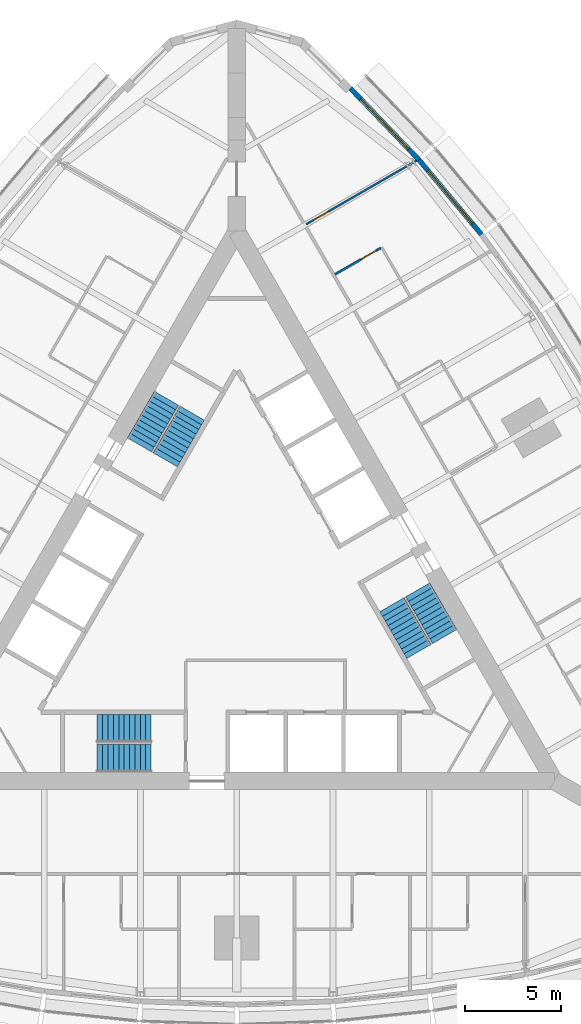
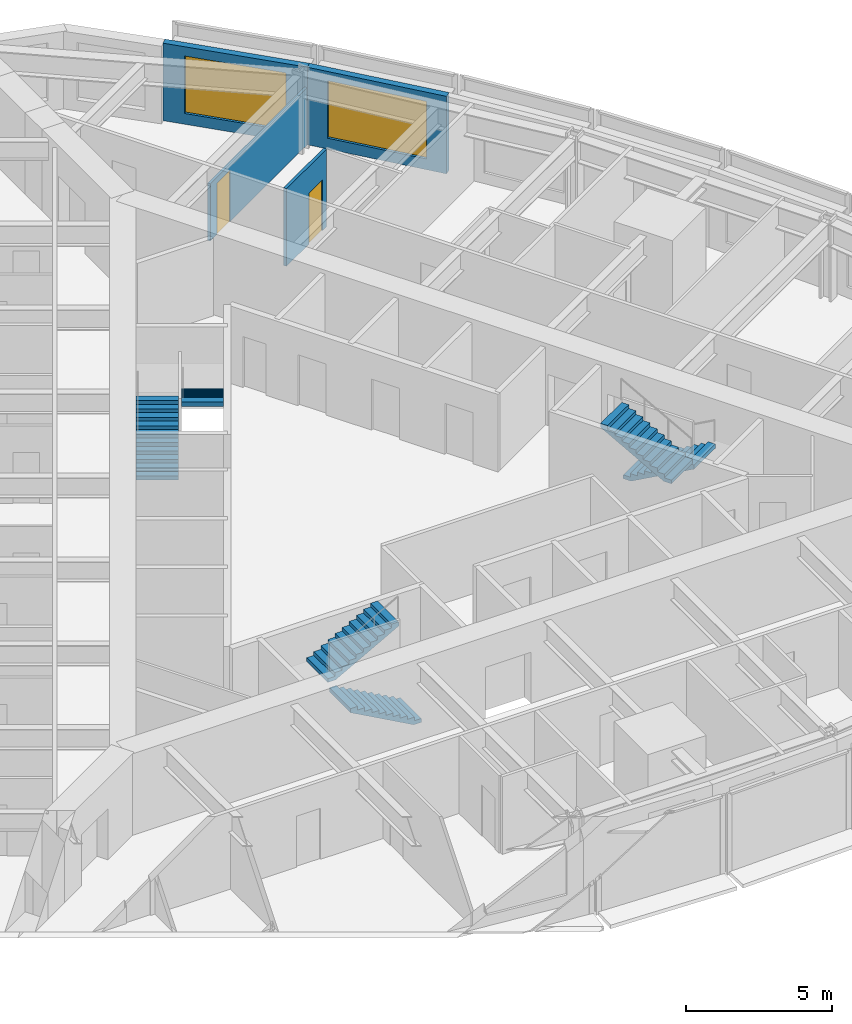
# One storey, part 13 of 14: 6 stair flights, 4 walls, 2 doors, 2 windows, 4 openings, 3 elements without a shape of their own.
"""IFC4 building model written with IfcOpenShell, lengths in metres."""

import ifcopenshell
import ifcopenshell.guid

model = None  # the IFC model being written
_history = None  # IfcOwnerHistory: only IFC2X3 demands one
_inside = {}  # id of a spatial element -> (the spatial element, [elements in it])
_under = {}  # id of a project, library or spatial element -> (it, [spatial elements below it])
_declared = {}  # id of a project -> (the project, [libraries it declares])
_typed = {}  # id of a type object -> (the type object, [elements of that type])
_made_of = {}  # id of a material, layer set ... -> (it, [elements and type objects made of it])


def new_model(schema):
    """Start an empty IFC model of exactly this schema.

    Asked for "IFC4X3", IfcOpenShell would pick the latest addendum, in which some entities
    have other attributes; the version numbers below select the first issue.
    IFC2X3 requires an IfcOwnerHistory on every rooted entity: one is made here for all.
    """
    global model, _history
    if schema == "IFC4X3":
        model = ifcopenshell.file(schema_version=(4, 3, 0, 0))
    else:
        model = ifcopenshell.file(schema=schema)
    _inside.clear()
    _under.clear()
    _declared.clear()
    _typed.clear()
    _made_of.clear()
    _history = None
    if model.schema == "IFC2X3":
        org = make("IfcOrganization", Name="unknown")
        user = make(
            "IfcPersonAndOrganization",
            ThePerson=make("IfcPerson", FamilyName="unknown"),
            TheOrganization=org,
        )
        app = make(
            "IfcApplication",
            ApplicationDeveloper=org,
            Version="unknown",
            ApplicationFullName="unknown",
            ApplicationIdentifier="unknown",
        )
        _history = make(
            "IfcOwnerHistory",
            OwningUser=user,
            OwningApplication=app,
            ChangeAction="ADDED",
            CreationDate=0,
        )
    return model


def make(cls, **values):
    """One entity of the class cls with the attributes given. An attribute that is None is left unset."""
    return model.create_entity(
        cls, **{name: value for name, value in values.items() if value is not None}
    )


def rooted(cls, **values):
    """An entity with a GlobalId (a new one), such as an element, a storey or a relation."""
    return make(cls, GlobalId=ifcopenshell.guid.new(), OwnerHistory=_history, **values)


def si_unit(unit_type, name, prefix=None):
    """IfcSIUnit, for example si_unit("LENGTHUNIT", "METRE", prefix="MILLI")."""
    return make("IfcSIUnit", UnitType=unit_type, Prefix=prefix, Name=name)


def assignment(units):
    """IfcUnitAssignment: the units of a project."""
    return None if units is None else make("IfcUnitAssignment", Units=units)


def point(xyz):
    """IfcCartesianPoint."""
    return None if xyz is None else make("IfcCartesianPoint", Coordinates=xyz)


def direction(xyz):
    """IfcDirection."""
    return None if xyz is None else make("IfcDirection", DirectionRatios=xyz)


def frame(location, z_axis=None, x_axis=None):
    """IfcAxis2Placement3D, a coordinate frame: its origin and axes. An axis left out is left unset."""
    return make(
        "IfcAxis2Placement3D",
        Location=point(location),
        Axis=direction(z_axis),
        RefDirection=direction(x_axis),
    )


def frame_2d(location, x_axis=None):
    """IfcAxis2Placement2D, a coordinate frame in the plane: its origin and x axis."""
    return make(
        "IfcAxis2Placement2D", Location=point(location), RefDirection=direction(x_axis)
    )


def origin():
    """The frame at (0, 0, 0) with its axes left unset."""
    return frame((0.0, 0.0, 0.0))


def place(relative_to, where):
    """IfcLocalPlacement: puts the frame where relative to a parent placement (None: the world)."""
    return make(
        "IfcLocalPlacement", PlacementRelTo=relative_to, RelativePlacement=where
    )


def context(
    kind, dimensions, precision=None, world=None, true_north=None, identifier=None
):
    """IfcGeometricRepresentationContext, for example the 3D "Model" context."""
    return make(
        "IfcGeometricRepresentationContext",
        ContextIdentifier=identifier,
        ContextType=kind,
        CoordinateSpaceDimension=dimensions,
        Precision=precision,
        WorldCoordinateSystem=world,
        TrueNorth=true_north,
    )


def subcontext(parent, identifier, kind, view, scale=None):
    """IfcGeometricRepresentationSubContext, for example "Body" below "Model"."""
    return make(
        "IfcGeometricRepresentationSubContext",
        ContextIdentifier=identifier,
        ContextType=kind,
        ParentContext=parent,
        TargetScale=scale,
        TargetView=view,
    )


def project(units=None, contexts=None):
    """IfcProject with its units and contexts."""
    return rooted(
        "IfcProject",
        Name="project",
        RepresentationContexts=contexts,
        UnitsInContext=assignment(units),
    )


def spatial(cls, under=None, at=None, **own):
    """A site, building, storey or space (cls), placed at a placement, below another one or the project."""
    s = rooted(cls, ObjectPlacement=at, **own)
    if under is not None:
        _under.setdefault(under.id(), (under, []))[1].append(s)
    return s


def polyline(points):
    """IfcPolyline through the points."""
    return make("IfcPolyline", Points=[point(p) for p in points])


def profile(cls, at=None, kind="AREA", **sizes):
    """A parametric profile (cls). Its sizes go by their IFC names, for example OverallWidth=200.0."""
    return make(cls, ProfileType=kind, Position=at, **sizes)


def rectangle(**sizes):
    """IfcRectangleProfileDef."""
    return profile("IfcRectangleProfileDef", **sizes)


def outline(outer, holes=None, kind="AREA"):
    """IfcArbitraryClosedProfileDef: a profile drawn as a closed curve; with holes, ...WithVoids."""
    if holes is None:
        return make("IfcArbitraryClosedProfileDef", ProfileType=kind, OuterCurve=outer)
    return make(
        "IfcArbitraryProfileDefWithVoids",
        ProfileType=kind,
        OuterCurve=outer,
        InnerCurves=holes,
    )


def extrude(swept, where, along, depth):
    """IfcExtrudedAreaSolid: the profile swept, set in the frame where, extruded along a direction by depth."""
    return make(
        "IfcExtrudedAreaSolid",
        SweptArea=swept,
        Position=where,
        ExtrudedDirection=direction(along),
        Depth=depth,
    )


def shape(context_of_items, identifier, shape_type, items):
    """IfcShapeRepresentation: the items that make up one representation, for example the "Body"."""
    return make(
        "IfcShapeRepresentation",
        ContextOfItems=context_of_items,
        RepresentationIdentifier=identifier,
        RepresentationType=shape_type,
        Items=items,
    )


def material(Name=None, Category=None):
    """IfcMaterial."""
    return make("IfcMaterial", Name=Name, Category=Category)


def layer(
    of_material, thickness, ventilated=None, Name=None, Category=None, Priority=None
):
    """IfcMaterialLayer: one layer of a wall or slab, of a material (None: an air gap)."""
    return make(
        "IfcMaterialLayer",
        Material=of_material,
        LayerThickness=thickness,
        IsVentilated=ventilated,
        Name=Name,
        Category=Category,
        Priority=Priority,
    )


def layer_set(layers, Name=None):
    """IfcMaterialLayerSet."""
    return make("IfcMaterialLayerSet", MaterialLayers=layers, LayerSetName=Name)


def made_of(thing, what):
    """Note that an element or type object is made of a material, layer set ...; save() writes the relation."""
    if what is not None:
        _made_of.setdefault(what.id(), (what, []))[1].append(thing)
    return thing


def type_object(cls, material=None, **own):
    """A type object (cls), such as IfcWallType, which elements share."""
    return made_of(rooted(cls, **own), material)


def element(
    cls,
    number,
    at=None,
    inside=None,
    cuts=None,
    type_object=None,
    material=None,
    context=None,
    identifier="Body",
    shape_type=None,
    held_by="IfcProductDefinitionShape",
    body=None,
    shapes=None,
    **own,
):
    """One element of the class cls, such as IfcWall. Its Tag is "e" and its number.

    at: its placement. inside: the storey or other place that contains it. cuts: it is an
    opening in that element (IfcRelVoidsElement). A single representation is given by context,
    identifier, shape_type and body (its items); several are given by shapes. held_by: the class
    of the entity that holds the representations. save() writes the other relations.
    """
    e = rooted(cls, Tag="e%d" % number, ObjectPlacement=at, **own)
    if body is not None:
        shapes = [shape(context, identifier, shape_type, body)]
    if shapes is not None:
        e.Representation = make(held_by, Representations=shapes)
    if inside is not None:
        _inside.setdefault(inside.id(), (inside, []))[1].append(e)
    if cuts is not None:
        rooted(
            "IfcRelVoidsElement", RelatingBuildingElement=cuts, RelatedOpeningElement=e
        )
    if type_object is not None:
        _typed.setdefault(type_object.id(), (type_object, []))[1].append(e)
    return made_of(e, material)


def fill(opening, filler):
    """IfcRelFillsElement: the door or window that sits in an opening."""
    return rooted(
        "IfcRelFillsElement",
        RelatingOpeningElement=opening,
        RelatedBuildingElement=filler,
    )


def aggregate(whole, parts):
    """IfcRelAggregates: a whole, such as a stair, and the parts it consists of."""
    return rooted("IfcRelAggregates", RelatingObject=whole, RelatedObjects=parts)


def save(model, path):
    """Write the relations noted so far, then the file.

    IfcRelAggregates (storeys below a building ...), IfcRelContainedInSpatialStructure (elements
    in a storey), IfcRelDefinesByType, IfcRelAssociatesMaterial and IfcRelDeclares: one each for
    every whole, place, type object, material and project.
    """
    for whole, parts in _under.values():
        aggregate(whole, parts)
    for where, things in _inside.values():
        rooted(
            "IfcRelContainedInSpatialStructure",
            RelatedElements=things,
            RelatingStructure=where,
        )
    for kind, things in _typed.values():
        rooted("IfcRelDefinesByType", RelatedObjects=things, RelatingType=kind)
    for what, things in _made_of.values():
        rooted("IfcRelAssociatesMaterial", RelatedObjects=things, RelatingMaterial=what)
    for by, libraries in _declared.values():
        rooted("IfcRelDeclares", RelatingContext=by, RelatedDefinitions=libraries)
    model.write(path)


model = new_model("IFC4")

# Units and contexts
model_context = context("Model", 3, precision=1e-05, world=origin(), true_north=direction((0.0, 1.0)))
body_context = subcontext(model_context, "Body", "Model", "MODEL_VIEW")
ifc_project = project(units=[si_unit("LENGTHUNIT", "METRE"), si_unit("AREAUNIT", "SQUARE_METRE"), si_unit("VOLUMEUNIT", "CUBIC_METRE"), si_unit("PLANEANGLEUNIT", "RADIAN"), si_unit("MASSUNIT", "GRAM", prefix="KILO")], contexts=[model_context])

# Site, building, storey
site_placement = place(None, origin())
site = spatial("IfcSite", under=ifc_project, at=site_placement, CompositionType="ELEMENT")
building_placement = place(site_placement, origin())
building = spatial("IfcBuilding", under=site, at=building_placement, Name="Trikona Tower", CompositionType="ELEMENT")
storey_placement = place(building_placement, frame((0.0, 0.0, 172.5)))
storey = spatial("IfcBuildingStorey", under=building, at=storey_placement, Name="L46", CompositionType="ELEMENT", Elevation=172.5)

# Wall, opening, door
ifc_material_1 = material(Name="Metal stud and cement board", Category="gypsum")
ifc_layer_1 = layer(ifc_material_1, 0.1201171875)
ifc_layer_set_1 = layer_set([ifc_layer_1], Name="Bathroom wall 120")
wall_type_1 = type_object("IfcWallType", Name="Bathroom wall 120", PredefinedType="PLUMBINGWALL", material=ifc_layer_set_1)
wall_1_placement = place(storey_placement, frame((5.10791015625, 16.805419921875, 0.0), z_axis=(0.0, 0.0, 1.0), x_axis=(0.866035715982, 0.499982138324, 0.0)))
wall_1 = element("IfcWall", 1, at=wall_1_placement, inside=storey, type_object=wall_type_1, Name="Bathroom wall 4609.1", PredefinedType="PLUMBINGWALL", context=body_context, shape_type="SweptSolid", body=[
    extrude(rectangle(XDim=2.73974609375, YDim=0.1201171875, at=frame_2d((1.369873046875, 0.0))), origin(), (0.0, 0.0, 1.0), 3.235107421875),
])
opening_1_placement = place(wall_1_placement, frame((1.550048828125, 0.0, 0.0)))
opening_1 = element("IfcOpeningElement", 2, at=opening_1_placement, cuts=wall_1, Name="Opening D2", PredefinedType="OPENING", context=body_context, shape_type="SweptSolid", body=[
    extrude(rectangle(XDim=0.89990234375, YDim=2.1298828125, at=frame_2d((0.449951171875, 1.06494140625))), frame((0.0, 0.070068359375, 0.0), z_axis=(0.0, -1.0, 0.0), x_axis=(1.0, 0.0, 0.0)), (0.0, 0.0, 1.0), 0.14013671875),
])
ifc_material_2 = material(Name="Steel door frame with solid-core timber leaf", Category="steel")
door_type_1 = type_object("IfcDoorType", Name="Bathroom door 900x2130", OperationType="SLIDING_TO_LEFT", PredefinedType="DOOR", material=ifc_material_2)
door_1_placement = place(opening_1_placement, origin())
door_1 = element("IfcDoor", 3, at=door_1_placement, inside=storey, type_object=door_type_1, Name="Bathroom door 4609.1", OperationType="SLIDING_TO_LEFT", OverallHeight=2.1298828125, OverallWidth=0.89990234375, PredefinedType="DOOR", context=body_context, shape_type="SweptSolid", body=[
    extrude(rectangle(XDim=0.89990234375, YDim=2.1298828125, at=frame_2d((0.449951171875, 1.06494140625))), frame((0.0, 0.02490234375, 0.0), z_axis=(0.0, -1.0, 0.0), x_axis=(1.0, 0.0, 0.0)), (0.0, 0.0, 1.0), 0.050048828125),
])
fill(opening_1, door_1)

# Wall, opening, window
ifc_material_3 = material(Name="Insulated precast concrete spandrel panel", Category="concrete")
ifc_layer_2 = layer(ifc_material_3, 0.25)
ifc_layer_set_2 = layer_set([ifc_layer_2], Name="Inner skin wall 250")
wall_type_2 = type_object("IfcWallType", Name="Inner skin wall 250", PredefinedType="STANDARD", material=ifc_layer_set_2)
wall_2_placement = place(storey_placement, frame((12.722900390625, 18.86767578125, 0.0), z_axis=(0.0, 0.0, 1.0), x_axis=(-0.641810386606, 0.766863369607, 0.0)))
wall_2 = element("IfcWall", 4, at=wall_2_placement, inside=storey, type_object=wall_type_2, Name="External wall L46-18", PredefinedType="STANDARD", context=body_context, shape_type="SweptSolid", body=[
    extrude(rectangle(XDim=5.075927734375, YDim=0.25, at=frame_2d((2.5380859375, 0.0))), origin(), (0.0, 0.0, 1.0), 3.235107421875),
])
opening_2_placement = place(wall_2_placement, frame((0.738037109375, 0.0, 0.449951171875)))
opening_2 = element("IfcOpeningElement", 5, at=opening_2_placement, cuts=wall_2, Name="Opening W3624", PredefinedType="OPENING", context=body_context, shape_type="SweptSolid", body=[
    extrude(rectangle(XDim=3.60009765625, YDim=2.39990234375, at=frame_2d((1.800048828125, 1.199951171875))), frame((0.0, 0.135009765625, 0.0), z_axis=(0.0, -1.0, 0.0), x_axis=(1.0, 0.0, 0.0)), (0.0, 0.0, 1.0), 0.27001953125),
])
ifc_material_4 = material(Name="Aluminium-framed double glazing", Category="aluminium")
window_type = type_object("IfcWindowType", Name="Window 3600x2400", PartitioningType="SINGLE_PANEL", PredefinedType="WINDOW", material=ifc_material_4)
window_1_placement = place(opening_2_placement, origin())
window_1 = element("IfcWindow", 6, at=window_1_placement, inside=storey, type_object=window_type, Name="Window 4609.1", OverallHeight=2.39990234375, OverallWidth=3.60009765625, PartitioningType="SINGLE_PANEL", PredefinedType="WINDOW", context=body_context, shape_type="SweptSolid", body=[
    extrude(rectangle(XDim=3.60009765625, YDim=2.39990234375, at=frame_2d((1.800048828125, 1.199951171875))), frame((0.0, 0.030029296875, 0.0), z_axis=(0.0, -1.0, 0.0), x_axis=(1.0, 0.0, 0.0)), (0.0, 0.0, 1.0), 0.06005859375),
])
fill(opening_2, window_1)

wall_3_placement = place(storey_placement, frame((9.470703125, 22.75390625, 0.0), z_axis=(0.0, 0.0, 1.0), x_axis=(-0.691719937936, 0.722165858693, 0.0)))
wall_3 = element("IfcWall", 7, at=wall_3_placement, inside=storey, type_object=wall_type_2, Name="External wall L46-19", PredefinedType="STANDARD", context=body_context, shape_type="SweptSolid", body=[
    extrude(rectangle(XDim=5.148193359375, YDim=0.25, at=frame_2d((2.57421875, 0.0))), origin(), (0.0, 0.0, 1.0), 3.235107421875),
])
opening_3_placement = place(wall_3_placement, frame((0.77392578125, 0.0, 0.449951171875)))
opening_3 = element("IfcOpeningElement", 8, at=opening_3_placement, cuts=wall_3, Name="Opening W3624", PredefinedType="OPENING", context=body_context, shape_type="SweptSolid", body=[
    extrude(rectangle(XDim=3.60009765625, YDim=2.39990234375, at=frame_2d((1.800048828125, 1.199951171875))), frame((0.0, 0.135009765625, 0.0), z_axis=(0.0, -1.0, 0.0), x_axis=(1.0, 0.0, 0.0)), (0.0, 0.0, 1.0), 0.27001953125),
])
window_2_placement = place(opening_3_placement, origin())
window_2 = element("IfcWindow", 9, at=window_2_placement, inside=storey, type_object=window_type, Name="Window 4609", OverallHeight=2.39990234375, OverallWidth=3.60009765625, PartitioningType="SINGLE_PANEL", PredefinedType="WINDOW", context=body_context, shape_type="SweptSolid", body=[
    extrude(rectangle(XDim=3.60009765625, YDim=2.39990234375, at=frame_2d((1.800048828125, 1.199951171875))), frame((0.0, 0.030029296875, 0.0), z_axis=(0.0, -1.0, 0.0), x_axis=(1.0, 0.0, 0.0)), (0.0, 0.0, 1.0), 0.06005859375),
])
fill(opening_3, window_2)

# Wall, opening, door
ifc_material_5 = material(Name="Metal stud and gypsum board, acoustic", Category="gypsum")
ifc_layer_3 = layer(ifc_material_5, 0.10009765625)
ifc_layer_set_3 = layer_set([ifc_layer_3], Name="Suite partition 100")
wall_type_3 = type_object("IfcWallType", Name="Suite partition 100", PredefinedType="PARTITIONING", material=ifc_layer_set_3)
wall_4_placement = place(storey_placement, frame((3.60791015625, 19.403564453125, 0.0), z_axis=(0.0, 0.0, 1.0), x_axis=(0.866015989873, 0.500016305018, 0.0)))
wall_4 = element("IfcWall", 10, at=wall_4_placement, inside=storey, type_object=wall_type_3, Name="Suite partition L46 F2 u15", PredefinedType="PARTITIONING", context=body_context, shape_type="SweptSolid", body=[
    extrude(rectangle(XDim=6.616455078125, YDim=0.10009765625, at=frame_2d((3.30810546875, 0.0))), origin(), (0.0, 0.0, 1.0), 2.38916015625),
])
opening_4_placement = place(wall_4_placement, frame((0.449951171875, 0.0, 0.0)))
opening_4 = element("IfcOpeningElement", 11, at=opening_4_placement, cuts=wall_4, Name="Opening D13", PredefinedType="OPENING", context=body_context, shape_type="SweptSolid", body=[
    extrude(rectangle(XDim=0.89990234375, YDim=2.1298828125, at=frame_2d((0.449951171875, 1.06494140625))), frame((0.0, 0.06005859375, 0.0), z_axis=(0.0, -1.0, 0.0), x_axis=(1.0, 0.0, 0.0)), (0.0, 0.0, 1.0), 0.1201171875),
])
ifc_material_6 = material(Name="Steel door frame with solid-core timber leaf", Category="steel")
door_type_2 = type_object("IfcDoorType", Name="Suite door 900x2130", OperationType="SINGLE_SWING_LEFT", PredefinedType="DOOR", material=ifc_material_6)
door_2_placement = place(opening_4_placement, origin())
door_2 = element("IfcDoor", 12, at=door_2_placement, inside=storey, type_object=door_type_2, Name="Suite door 4609", OperationType="SINGLE_SWING_LEFT", OverallHeight=2.1298828125, OverallWidth=0.89990234375, PredefinedType="DOOR", context=body_context, shape_type="SweptSolid", body=[
    extrude(rectangle(XDim=0.89990234375, YDim=2.1298828125, at=frame_2d((0.449951171875, 1.06494140625))), frame((0.0, 0.02490234375, 0.0), z_axis=(0.0, -1.0, 0.0), x_axis=(1.0, 0.0, 0.0)), (0.0, 0.0, 1.0), 0.050048828125),
])
fill(opening_4, door_2)

# Stair, stair flights
ifc_material_7 = material(Name="Concrete f'c 5000 psi", Category="concrete")
stair_type = type_object("IfcStairType", Name="Core stair", PredefinedType="HALF_TURN_STAIR", material=ifc_material_7)
stair_1_placement = place(storey_placement, origin())
stair_1 = element("IfcStair", 13, at=stair_1_placement, inside=storey, type_object=stair_type, Name="Stair A L46", PredefinedType="HALF_TURN_STAIR")
ifc_material_8 = material(Name="Concrete f'c 5000 psi", Category="concrete")
stair_flight_type = type_object("IfcStairFlightType", Name="Core stair flight 1450", PredefinedType="STRAIGHT", material=ifc_material_8)
stair_flight_1_placement = place(storey_placement, frame((-4.449951171875, -8.351318359375, 0.0), z_axis=(0.0, 0.0, 1.0), x_axis=(-1.0, 0.0, 0.0)))
stair_flight_1 = element("IfcStairFlight", 14, at=stair_flight_1_placement, type_object=stair_flight_type, Name="ST-A flight 1", NumberOfRisers=11, NumberOfTreads=10, PredefinedType="STRAIGHT", RiserHeight=0.154545, TreadLength=0.28, context=body_context, shape_type="SweptSolid", body=[
    extrude(outline(polyline([(0.0, 0.0), (0.0, 0.154541015625), (0.280029296875, 0.154541015625), (0.280029296875, 0.30908203125), (0.56005859375, 0.30908203125), (0.56005859375, 0.463623046875), (0.840087890625, 0.463623046875), (0.840087890625, 0.6181640625), (1.1201171875, 0.6181640625), (1.1201171875, 0.772705078125), (1.39990234375, 0.772705078125), (1.39990234375, 0.92724609375), (1.679931640625, 0.92724609375), (1.679931640625, 1.081787109375), (1.9599609375, 1.081787109375), (1.9599609375, 1.236328125), (2.239990234375, 1.236328125), (2.239990234375, 1.390869140625), (2.52001953125, 1.390869140625), (2.52001953125, 1.54541015625), (2.800048828125, 1.54541015625), (2.800048828125, 1.699951171875), (2.800048828125, 1.374267578125), (0.310302734375, 0.0), (0.0, 0.0)])), frame((0.0, 0.72509765625, 0.0), z_axis=(0.0, -1.0, 0.0), x_axis=(1.0, 0.0, 0.0)), (0.0, 0.0, 1.0), 1.449951171875),
])
stair_flight_2_placement = place(storey_placement, frame((-7.25, -6.80126953125, 1.699951171875), z_axis=(0.0, 0.0, 1.0), x_axis=(1.0, 0.0, 0.0)))
stair_flight_2 = element("IfcStairFlight", 15, at=stair_flight_2_placement, type_object=stair_flight_type, Name="ST-A flight 2", NumberOfRisers=11, NumberOfTreads=10, PredefinedType="STRAIGHT", RiserHeight=0.154545, TreadLength=0.28, context=body_context, shape_type="SweptSolid", body=[
    extrude(outline(polyline([(0.0, 0.0), (0.0, 0.154541015625), (0.280029296875, 0.154541015625), (0.280029296875, 0.30908203125), (0.56005859375, 0.30908203125), (0.56005859375, 0.463623046875), (0.840087890625, 0.463623046875), (0.840087890625, 0.6181640625), (1.1201171875, 0.6181640625), (1.1201171875, 0.772705078125), (1.39990234375, 0.772705078125), (1.39990234375, 0.92724609375), (1.679931640625, 0.92724609375), (1.679931640625, 1.081787109375), (1.9599609375, 1.081787109375), (1.9599609375, 1.236328125), (2.239990234375, 1.236328125), (2.239990234375, 1.390869140625), (2.52001953125, 1.390869140625), (2.52001953125, 1.54541015625), (2.800048828125, 1.54541015625), (2.800048828125, 1.699951171875), (2.800048828125, 1.374267578125), (0.310302734375, 0.0), (0.0, 0.0)])), frame((0.0, 0.72509765625, 0.0), z_axis=(0.0, -1.0, 0.0), x_axis=(1.0, 0.0, 0.0)), (0.0, 0.0, 1.0), 1.449951171875),
])
aggregate(stair_1, [stair_flight_1, stair_flight_2])

stair_2_placement = place(storey_placement, origin())
stair_2 = element("IfcStair", 16, at=stair_2_placement, inside=storey, type_object=stair_type, Name="Stair B L46", PredefinedType="HALF_TURN_STAIR")
stair_flight_3_placement = place(storey_placement, frame((9.407470703125, 0.408447265625, 0.0), z_axis=(0.0, 0.0, 1.0), x_axis=(0.5, -0.866025403784, 0.0)))
stair_flight_3 = element("IfcStairFlight", 17, at=stair_flight_3_placement, type_object=stair_flight_type, Name="ST-B flight 1", NumberOfRisers=11, NumberOfTreads=10, PredefinedType="STRAIGHT", RiserHeight=0.154545, TreadLength=0.28, context=body_context, shape_type="SweptSolid", body=[
    extrude(outline(polyline([(0.0, 0.0), (0.0, 0.154541015625), (0.280029296875, 0.154541015625), (0.280029296875, 0.30908203125), (0.56005859375, 0.30908203125), (0.56005859375, 0.463623046875), (0.840087890625, 0.463623046875), (0.840087890625, 0.6181640625), (1.1201171875, 0.6181640625), (1.1201171875, 0.772705078125), (1.39990234375, 0.772705078125), (1.39990234375, 0.92724609375), (1.679931640625, 0.92724609375), (1.679931640625, 1.081787109375), (1.9599609375, 1.081787109375), (1.9599609375, 1.236328125), (2.239990234375, 1.236328125), (2.239990234375, 1.390869140625), (2.52001953125, 1.390869140625), (2.52001953125, 1.54541015625), (2.800048828125, 1.54541015625), (2.800048828125, 1.699951171875), (2.800048828125, 1.374267578125), (0.310302734375, 0.0), (0.0, 0.0)])), frame((0.0, 0.72509765625, 0.0), z_axis=(0.0, -1.0, 0.0), x_axis=(1.0, 0.0, 0.0)), (0.0, 0.0, 1.0), 1.449951171875),
])
stair_flight_4_placement = place(storey_placement, frame((9.465087890625, -2.79150390625, 1.699951171875), z_axis=(0.0, 0.0, 1.0), x_axis=(-0.5, 0.866025403784, 0.0)))
stair_flight_4 = element("IfcStairFlight", 18, at=stair_flight_4_placement, type_object=stair_flight_type, Name="ST-B flight 2", NumberOfRisers=11, NumberOfTreads=10, PredefinedType="STRAIGHT", RiserHeight=0.154545, TreadLength=0.28, context=body_context, shape_type="SweptSolid", body=[
    extrude(outline(polyline([(0.0, 0.0), (0.0, 0.154541015625), (0.280029296875, 0.154541015625), (0.280029296875, 0.30908203125), (0.56005859375, 0.30908203125), (0.56005859375, 0.463623046875), (0.840087890625, 0.463623046875), (0.840087890625, 0.6181640625), (1.1201171875, 0.6181640625), (1.1201171875, 0.772705078125), (1.39990234375, 0.772705078125), (1.39990234375, 0.92724609375), (1.679931640625, 0.92724609375), (1.679931640625, 1.081787109375), (1.9599609375, 1.081787109375), (1.9599609375, 1.236328125), (2.239990234375, 1.236328125), (2.239990234375, 1.390869140625), (2.52001953125, 1.390869140625), (2.52001953125, 1.54541015625), (2.800048828125, 1.54541015625), (2.800048828125, 1.699951171875), (2.800048828125, 1.374267578125), (0.310302734375, 0.0), (0.0, 0.0)])), frame((0.0, 0.72509765625, 0.0), z_axis=(0.0, -1.0, 0.0), x_axis=(1.0, 0.0, 0.0)), (0.0, 0.0, 1.0), 1.449951171875),
])
aggregate(stair_2, [stair_flight_3, stair_flight_4])

stair_3_placement = place(storey_placement, origin())
stair_3 = element("IfcStair", 19, at=stair_3_placement, inside=storey, type_object=stair_type, Name="Stair C L46", PredefinedType="HALF_TURN_STAIR")
stair_flight_5_placement = place(storey_placement, frame((-5.057373046875, 7.94287109375, 0.0), z_axis=(0.0, 0.0, 1.0), x_axis=(0.5, 0.866025403784, 0.0)))
stair_flight_5 = element("IfcStairFlight", 20, at=stair_flight_5_placement, type_object=stair_flight_type, Name="ST-C flight 1", NumberOfRisers=11, NumberOfTreads=10, PredefinedType="STRAIGHT", RiserHeight=0.154545, TreadLength=0.28, context=body_context, shape_type="SweptSolid", body=[
    extrude(outline(polyline([(0.0, 0.0), (0.0, 0.154541015625), (0.280029296875, 0.154541015625), (0.280029296875, 0.30908203125), (0.56005859375, 0.30908203125), (0.56005859375, 0.463623046875), (0.840087890625, 0.463623046875), (0.840087890625, 0.6181640625), (1.1201171875, 0.6181640625), (1.1201171875, 0.772705078125), (1.39990234375, 0.772705078125), (1.39990234375, 0.92724609375), (1.679931640625, 0.92724609375), (1.679931640625, 1.081787109375), (1.9599609375, 1.081787109375), (1.9599609375, 1.236328125), (2.239990234375, 1.236328125), (2.239990234375, 1.390869140625), (2.52001953125, 1.390869140625), (2.52001953125, 1.54541015625), (2.800048828125, 1.54541015625), (2.800048828125, 1.699951171875), (2.800048828125, 1.374267578125), (0.310302734375, 0.0), (0.0, 0.0)])), frame((0.0, 0.72509765625, 0.0), z_axis=(0.0, -1.0, 0.0), x_axis=(1.0, 0.0, 0.0)), (0.0, 0.0, 1.0), 1.449951171875),
])
stair_flight_6_placement = place(storey_placement, frame((-2.315185546875, 9.5927734375, 1.699951171875), z_axis=(0.0, 0.0, 1.0), x_axis=(-0.5, -0.866025403784, 0.0)))
stair_flight_6 = element("IfcStairFlight", 21, at=stair_flight_6_placement, type_object=stair_flight_type, Name="ST-C flight 2", NumberOfRisers=11, NumberOfTreads=10, PredefinedType="STRAIGHT", RiserHeight=0.154545, TreadLength=0.28, context=body_context, shape_type="SweptSolid", body=[
    extrude(outline(polyline([(0.0, 0.0), (0.0, 0.154541015625), (0.280029296875, 0.154541015625), (0.280029296875, 0.30908203125), (0.56005859375, 0.30908203125), (0.56005859375, 0.463623046875), (0.840087890625, 0.463623046875), (0.840087890625, 0.6181640625), (1.1201171875, 0.6181640625), (1.1201171875, 0.772705078125), (1.39990234375, 0.772705078125), (1.39990234375, 0.92724609375), (1.679931640625, 0.92724609375), (1.679931640625, 1.081787109375), (1.9599609375, 1.081787109375), (1.9599609375, 1.236328125), (2.239990234375, 1.236328125), (2.239990234375, 1.390869140625), (2.52001953125, 1.390869140625), (2.52001953125, 1.54541015625), (2.800048828125, 1.54541015625), (2.800048828125, 1.699951171875), (2.800048828125, 1.374267578125), (0.310302734375, 0.0), (0.0, 0.0)])), frame((0.0, 0.72509765625, 0.0), z_axis=(0.0, -1.0, 0.0), x_axis=(1.0, 0.0, 0.0)), (0.0, 0.0, 1.0), 1.449951171875),
])
aggregate(stair_3, [stair_flight_5, stair_flight_6])

save(model, "model.ifc")
